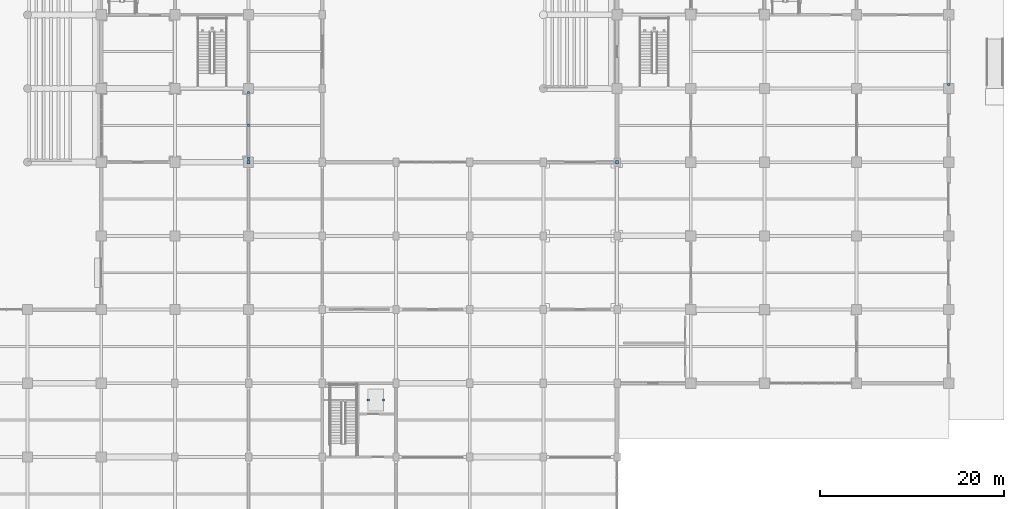
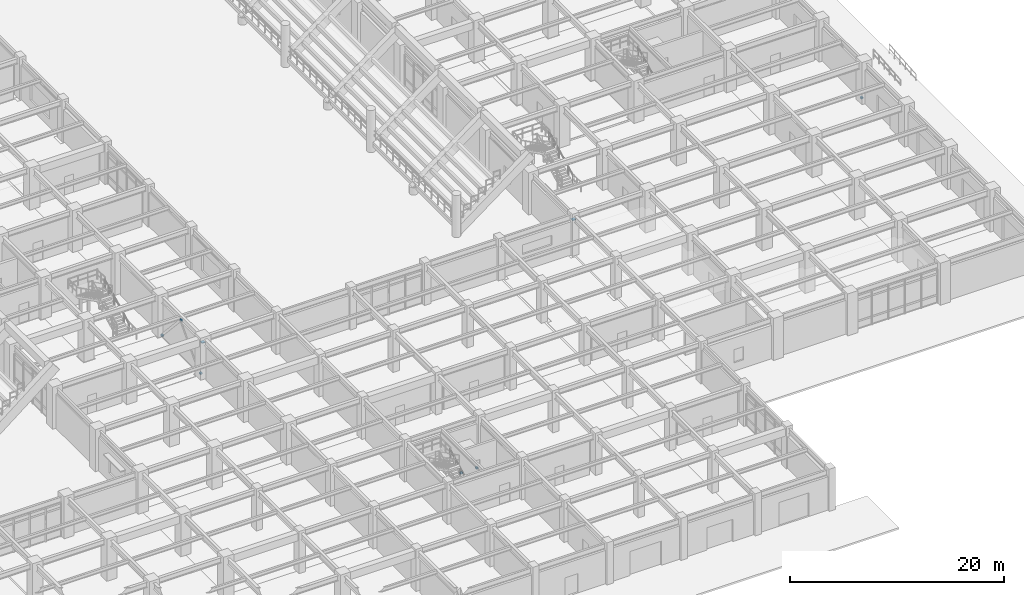
# One storey, part 99 of 125: 8 discrete accessories.
"""IFC4 building model written with IfcOpenShell, lengths in metres."""

from ifc_helpers import new_model, si_unit, direction, frame, origin, origin_2d, place, context, subcontext, project, spatial, rectangle, extrude, material, layer, layer_set, type_object, element, save


model = new_model("IFC4")

# Units and contexts
model_context = context("Model", 3, precision=1e-05, world=origin(), true_north=direction((0.0, 1.0)))
body_context = subcontext(model_context, "Body", "Model", "MODEL_VIEW")
ifc_project = project(units=[si_unit("LENGTHUNIT", "METRE"), si_unit("AREAUNIT", "SQUARE_METRE"), si_unit("VOLUMEUNIT", "CUBIC_METRE"), si_unit("PLANEANGLEUNIT", "RADIAN"), si_unit("MASSUNIT", "GRAM", prefix="KILO")], contexts=[model_context])

# Site, building, storey
site_placement = place(None, origin())
site = spatial("IfcSite", under=ifc_project, at=site_placement, CompositionType="ELEMENT")
building_placement = place(site_placement, origin())
building = spatial("IfcBuilding", under=site, at=building_placement, Name="Haebicheon Civic Stadium", CompositionType="ELEMENT")
storey_placement = place(building_placement, origin())
storey = spatial("IfcBuildingStorey", under=building, at=storey_placement, Name="L01", CompositionType="ELEMENT", Elevation=0.0)

# Discrete accessories
ifc_material_1 = material(Name="Steel SM490", Category="steel")
ifc_layer_1 = layer(ifc_material_1, 0.080078125, Name="Steel SM490")
ifc_layer_set_1 = layer_set([ifc_layer_1], Name="Steel SM490")
discrete_accessory_type_1 = type_object("IfcDiscreteAccessoryType", Name="BRG-PTFE-350", PredefinedType="SHOE", material=ifc_layer_set_1)
for number, where, z_axis, x_axis, name in (
    (1, (160.0, 48.0, 3.820068359375), (0.0, 0.0, 1.0), (1.0, 0.0, 0.0), "Movement joint unguided PTFE sliding bearing 1"),
    (2, (200.0, 48.0, 3.820068359375), (0.0, 0.0, 1.0), (1.0, 0.0, 0.0), "Movement joint unguided PTFE sliding bearing 9"),
):
    element("IfcDiscreteAccessory", number, at=place(storey_placement, frame(where, z_axis=z_axis, x_axis=x_axis)), inside=storey, type_object=discrete_accessory_type_1, material=ifc_layer_set_1, Name=name, PredefinedType="SHOE", context=body_context, shape_type="SweptSolid", body=[
        extrude(rectangle(XDim=0.35009765625, YDim=0.35009765625, at=origin_2d()), origin(), (0.0, 0.0, 1.0), 0.080078125),
    ])
ifc_material_2 = material(Name="White painted steel SM490", Category="steel")
ifc_layer_2 = layer(ifc_material_2, 0.179931640625, Name="White painted steel SM490")
ifc_layer_set_2 = layer_set([ifc_layer_2], Name="White painted steel SM490")
discrete_accessory_type_2 = type_object("IfcDiscreteAccessoryType", Name="BRK-END-PLT", PredefinedType="BRACKET", material=ifc_layer_set_2)
for number, where, z_axis, x_axis, name in (
    (3, (160.0, 48.419921875, -0.0498046875), (0.0, 0.0, 1.0), (1.0, 0.0, 0.0), "Brace L01-19-06 bolted end connection plate"),
    (4, (160.0, 55.580078125, -0.0498046875), (0.0, 0.0, 1.0), (1.0, 0.0, 0.0), "Brace L01-19-06 bolted end connection plate"),
    (5, (160.0, 52.0, 3.85009765625), (0.0, 0.0, 1.0), (1.0, 0.0, 0.0), "Brace L01-19-06 bolted end connection plate"),
    (6, (236.0, 56.419921875, -0.0498046875), (0.0, 0.0, 1.0), (1.0, 0.0, 0.0), "Brace L01-28-07 bolted end connection plate"),
):
    element("IfcDiscreteAccessory", number, at=place(storey_placement, frame(where, z_axis=z_axis, x_axis=x_axis)), inside=storey, type_object=discrete_accessory_type_2, material=ifc_layer_set_2, Name=name, PredefinedType="BRACKET", context=body_context, shape_type="SweptSolid", body=[
        extrude(rectangle(XDim=0.239990234375, YDim=0.239990234375, at=origin_2d()), origin(), (0.0, 0.0, 1.0), 0.179931640625),
    ])
ifc_material_3 = material(Name="Stainless steel 316", Category="steel")
ifc_layer_3 = layer(ifc_material_3, 0.139892578125, Name="Stainless steel 316")
ifc_layer_set_3 = layer_set([ifc_layer_3], Name="Stainless steel 316")
discrete_accessory_type_3 = type_object("IfcDiscreteAccessoryType", Name="BRK-LVR-CLEAT", PredefinedType="BRACKET", material=ifc_layer_set_3)
for number, where, z_axis, x_axis, name in (
    (7, (172.989990234375, 22.179931640625, -0.06005859375), (0.0, 0.0, 1.0), (1.0, 0.0, 0.0), "LF-10 shaft guide-rail bracket W"),
    (8, (174.64990234375, 22.179931640625, -0.06005859375), (0.0, 0.0, 1.0), (1.0, 0.0, 0.0), "LF-10 shaft guide-rail bracket E"),
):
    element("IfcDiscreteAccessory", number, at=place(storey_placement, frame(where, z_axis=z_axis, x_axis=x_axis)), inside=storey, type_object=discrete_accessory_type_3, material=ifc_layer_set_3, Name=name, PredefinedType="BRACKET", context=body_context, shape_type="SweptSolid", body=[
        extrude(rectangle(XDim=0.239990234375, YDim=0.239990234375, at=origin_2d()), origin(), (0.0, 0.0, 1.0), 0.159912109375),
    ])

save(model, "model.ifc")
